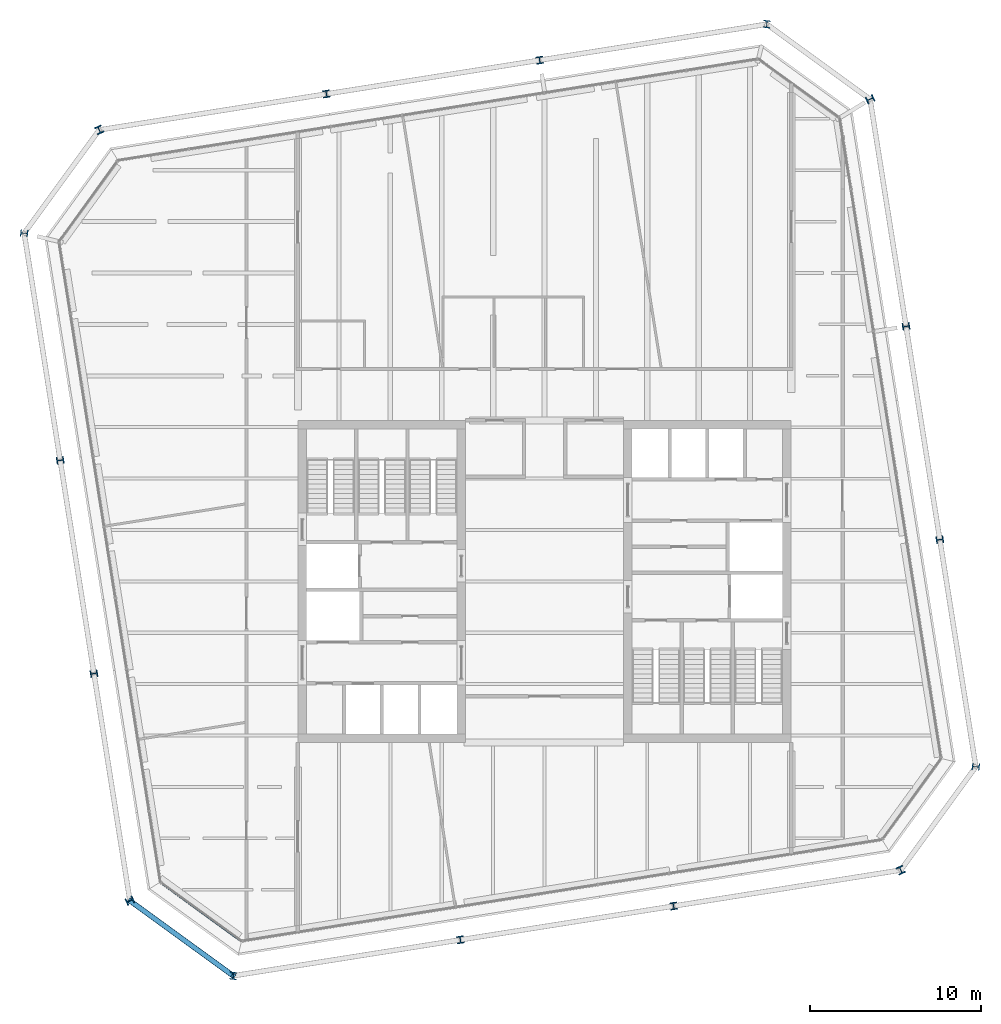
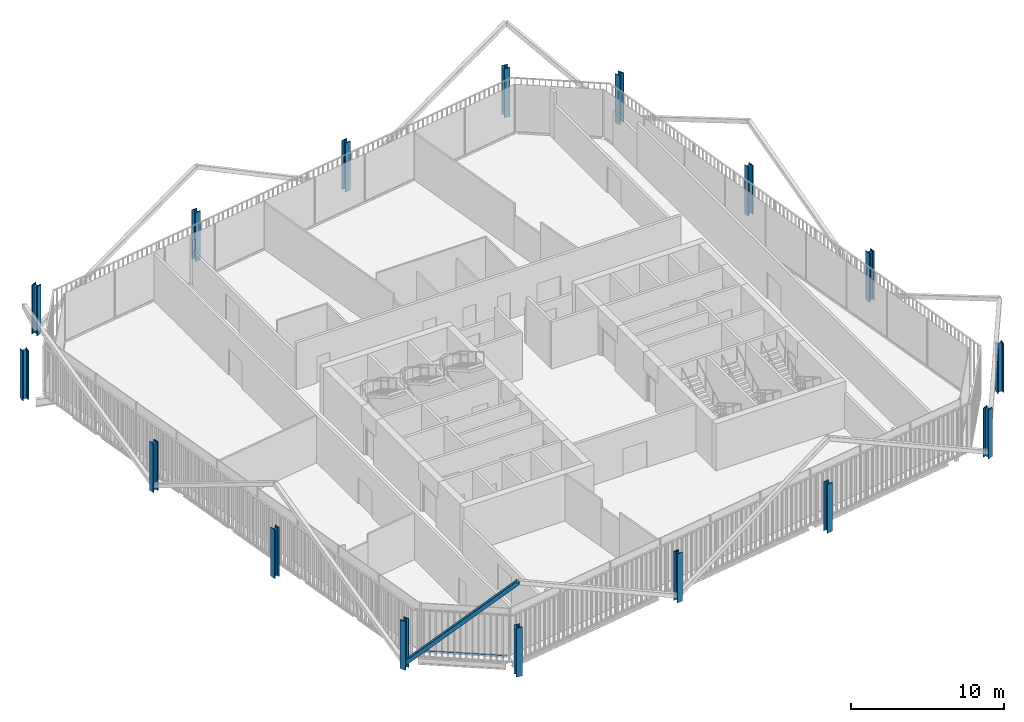
# One storey, part 1 of 20: 16 columns, 2 members, 1 element without a shape of its own.
"""IFC4 building model written with IfcOpenShell, lengths in metres."""

from ifc_helpers import new_model, si_unit, direction, frame, origin, origin_2d, place, context, subcontext, project, spatial, rectangle, hollow_rectangle, i_section, extrude, material, layer, layer_set, material_profile, profile_set, type_object, element, aggregate, save


model = new_model("IFC4")

# Units and contexts
model_context = context("Model", 3, precision=1e-05, world=origin(), true_north=direction((0.0, 1.0)))
body_context = subcontext(model_context, "Body", "Model", "MODEL_VIEW")
ifc_project = project(units=[si_unit("LENGTHUNIT", "METRE"), si_unit("AREAUNIT", "SQUARE_METRE"), si_unit("VOLUMEUNIT", "CUBIC_METRE"), si_unit("PLANEANGLEUNIT", "RADIAN"), si_unit("MASSUNIT", "GRAM", prefix="KILO")], contexts=[model_context])

# Site, building, storey
site_placement = place(None, origin())
site = spatial("IfcSite", under=ifc_project, at=site_placement, CompositionType="ELEMENT")
building_placement = place(site_placement, origin())
building = spatial("IfcBuilding", under=site, at=building_placement, Name="Millrace Tower", CompositionType="ELEMENT")
storey_placement = place(building_placement, frame((0.0, 0.0, 204.699951171875)))
storey = spatial("IfcBuildingStorey", under=building, at=storey_placement, Name="L46", CompositionType="ELEMENT", Elevation=204.699951171875)

# Columns
ifc_material_1 = material(Name="Steel ASTM A913 Grade 65", Category="steel")
ifc_material_profile_1 = material_profile(ifc_material_1, i_section(OverallWidth=0.408935546875, OverallDepth=0.424072265625, WebThickness=0.03271484375, FlangeThickness=0.052490234375, FilletRadius=0.01513671875, at=origin_2d()))
ifc_profile_set_1 = profile_set([ifc_material_profile_1], Name="Steel ASTM A913 Grade 65")
column_type_1 = type_object("IfcColumnType", Name="Exoskeleton column W14x283", PredefinedType="COLUMN", material=ifc_profile_set_1)
for number, where, z_axis, x_axis, name in (
    (1, (-4.91162109375, -20.927734375, 0.0), (0.0, 0.0, 1.0), (0.987688341035, 0.156434462265, 0.0), "COL-D-L46-X03"),
    (2, (7.533203125, -18.956787109375, 0.0), (0.0, 0.0, 1.0), (0.987688341035, 0.156434462265, 0.0), "COL-D-L46-X04"),
    (3, (23.07763671875, 2.4384765625, 0.0), (0.0, 0.0, 1.0), (-0.156434462265, 0.987688341035, 0.0), "COL-D-L46-X07"),
    (4, (21.106689453125, 14.88330078125, 0.0), (0.0, 0.0, 1.0), (-0.156434462265, 0.987688341035, 0.0), "COL-D-L46-X08"),
    (5, (-0.288330078125, 30.427734375, 0.0), (0.0, 0.0, 1.0), (-0.987688341035, -0.156434462265, 0.0), "COL-D-L46-X11"),
    (6, (-12.7333984375, 28.456787109375, 0.0), (0.0, 0.0, 1.0), (-0.987688341035, -0.156434462265, 0.0), "COL-D-L46-X12"),
    (7, (-28.27783203125, 7.0615234375, 0.0), (0.0, 0.0, 1.0), (0.156434462265, -0.987688341035, 0.0), "COL-D-L46-X15"),
    (8, (-26.306640625, -5.38330078125, 0.0), (0.0, 0.0, 1.0), (0.156434462265, -0.987688341035, 0.0), "COL-D-L46-X16"),
):
    element("IfcColumn", number, at=place(storey_placement, frame(where, z_axis=z_axis, x_axis=x_axis)), inside=storey, type_object=column_type_1, Name=name, PredefinedType="COLUMN", context=body_context, shape_type="SweptSolid", body=[
        extrude(i_section(OverallWidth=0.408935546875, OverallDepth=0.424072265625, WebThickness=0.03271484375, FlangeThickness=0.052490234375, FilletRadius=0.01513671875, at=origin_2d()), origin(), (0.0, 0.0, 1.0), 3.900146484375),
    ])
ifc_material_2 = material(Name="Steel ASTM A913 Grade 65", Category="steel")
ifc_material_profile_2 = material_profile(ifc_material_2, i_section(OverallWidth=0.41650390625, OverallDepth=0.444580078125, WebThickness=0.0390625, FlangeThickness=0.062744140625, FilletRadius=0.01513671875, at=origin_2d()))
ifc_profile_set_2 = profile_set([ifc_material_profile_2], Name="Steel ASTM A913 Grade 65")
column_type_2 = type_object("IfcColumnType", Name="Exoskeleton column W14x342", PredefinedType="COLUMN", material=ifc_profile_set_2)
for number, where, z_axis, x_axis, name in (
    (9, (-24.2060546875, -18.646484375, 0.0), (0.0, 0.0, 1.0), (0.418552981224, -0.908192381552, 0.0), "COL-D-L46-X01"),
    (10, (-18.174560546875, -23.0283203125, 0.0), (0.0, 0.0, 1.0), (0.993082267365, -0.117420655103, 0.0), "COL-D-L46-X02"),
    (11, (20.79638671875, -16.85595703125, 0.0), (0.0, 0.0, 1.0), (0.908192381552, 0.418552981224, 0.0), "COL-D-L46-X05"),
    (12, (25.178466796875, -10.82470703125, 0.0), (0.0, 0.0, 1.0), (0.117420655103, 0.993082267365, 0.0), "COL-D-L46-X06"),
    (13, (19.006103515625, 28.146484375, 0.0), (0.0, 0.0, 1.0), (-0.418552981224, 0.908192381552, 0.0), "COL-D-L46-X09"),
    (14, (12.974609375, 32.5283203125, 0.0), (0.0, 0.0, 1.0), (-0.993082267365, 0.117420655103, 0.0), "COL-D-L46-X10"),
    (15, (-25.996337890625, 26.35595703125, 0.0), (0.0, 0.0, 1.0), (-0.908192381552, -0.418552981224, 0.0), "COL-D-L46-X13"),
    (16, (-30.37841796875, 20.32470703125, 0.0), (0.0, 0.0, 1.0), (-0.117420655103, -0.993082267365, 0.0), "COL-D-L46-X14"),
):
    element("IfcColumn", number, at=place(storey_placement, frame(where, z_axis=z_axis, x_axis=x_axis)), inside=storey, type_object=column_type_2, Name=name, PredefinedType="COLUMN", context=body_context, shape_type="SweptSolid", body=[
        extrude(i_section(OverallWidth=0.41650390625, OverallDepth=0.444580078125, WebThickness=0.0390625, FlangeThickness=0.062744140625, FilletRadius=0.01513671875, at=origin_2d()), origin(), (0.0, 0.0, 1.0), 3.900146484375),
    ])

# Curtain wall, member
ifc_material_3 = material(Name="Aluminium and glass", Category="aluminium")
ifc_layer = layer(ifc_material_3, 0.14990234375)
ifc_layer_set = layer_set([ifc_layer], Name="Aluminium and glass")
curtain_wall_type = type_object("IfcCurtainWallType", Name="CW-1 office vision curtain wall", PredefinedType="NOTDEFINED", material=ifc_layer_set)
curtain_wall_placement = place(storey_placement, origin())
curtain_wall = element("IfcCurtainWall", 17, at=curtain_wall_placement, inside=storey, type_object=curtain_wall_type, Name="Curtain wall D-F01 L46", PredefinedType="NOTDEFINED")
ifc_material_4 = material(Name="Aluminium", Category="aluminium")
ifc_material_profile_3 = material_profile(ifc_material_4, rectangle(XDim=0.14990234375, YDim=0.139892578125, at=origin_2d()))
ifc_profile_set_3 = profile_set([ifc_material_profile_3], Name="Aluminium")
member_type_1 = type_object("IfcMemberType", Name="CW-1 office vision curtain wall transom", PredefinedType="USERDEFINED", material=ifc_profile_set_3)
member_1_placement = place(storey_placement, frame((-22.323486328125, -17.634765625, 0.070068359375), z_axis=(0.809033935994, -0.587761933448, 0.0), x_axis=(0.587761933448, 0.809033935994, 0.0)))
member_1 = element("IfcMember", 18, at=member_1_placement, type_object=member_type_1, Name="CW1 transom D-F01.1", ObjectType="TRANSOM", PredefinedType="USERDEFINED", context=body_context, shape_type="SweptSolid", body=[
    extrude(rectangle(XDim=0.14990234375, YDim=0.139892578125, at=origin_2d()), origin(), (0.0, 0.0, 1.0), 5.598388671875),
])
aggregate(curtain_wall, [member_1])

# Member
ifc_material_5 = material(Name="Steel ASTM A500 Grade C", Category="steel")
ifc_material_profile_4 = material_profile(ifc_material_5, hollow_rectangle(XDim=0.3046875, YDim=0.3046875, WallThickness=0.0126953125, InnerFilletRadius=0.00634765625, OuterFilletRadius=0.01904296875, at=origin_2d()))
ifc_profile_set_4 = profile_set([ifc_material_profile_4], Name="Steel ASTM A500 Grade C")
member_type_2 = type_object("IfcMemberType", Name="Exoskeleton brace HSS12x12x1/2", PredefinedType="BRACE", material=ifc_profile_set_4)
member_2_placement = place(storey_placement, frame((-24.2060546875, -18.646484375, 0.400146484375), z_axis=(0.589795997835, -0.428482435505, 0.684502361867), x_axis=(0.587758820843, 0.809036197288, 0.0)))
element("IfcMember", 19, at=member_2_placement, inside=storey, type_object=member_type_2, Name="BRC-D-L46-01", PredefinedType="BRACE", context=body_context, shape_type="SweptSolid", body=[
    extrude(hollow_rectangle(XDim=0.3046875, YDim=0.3046875, WallThickness=0.0126953125, InnerFilletRadius=0.00634765625, OuterFilletRadius=0.01904296875, at=origin_2d()), origin(), (0.0, 0.0, 1.0), 10.226318359375),
])

save(model, "model.ifc")
